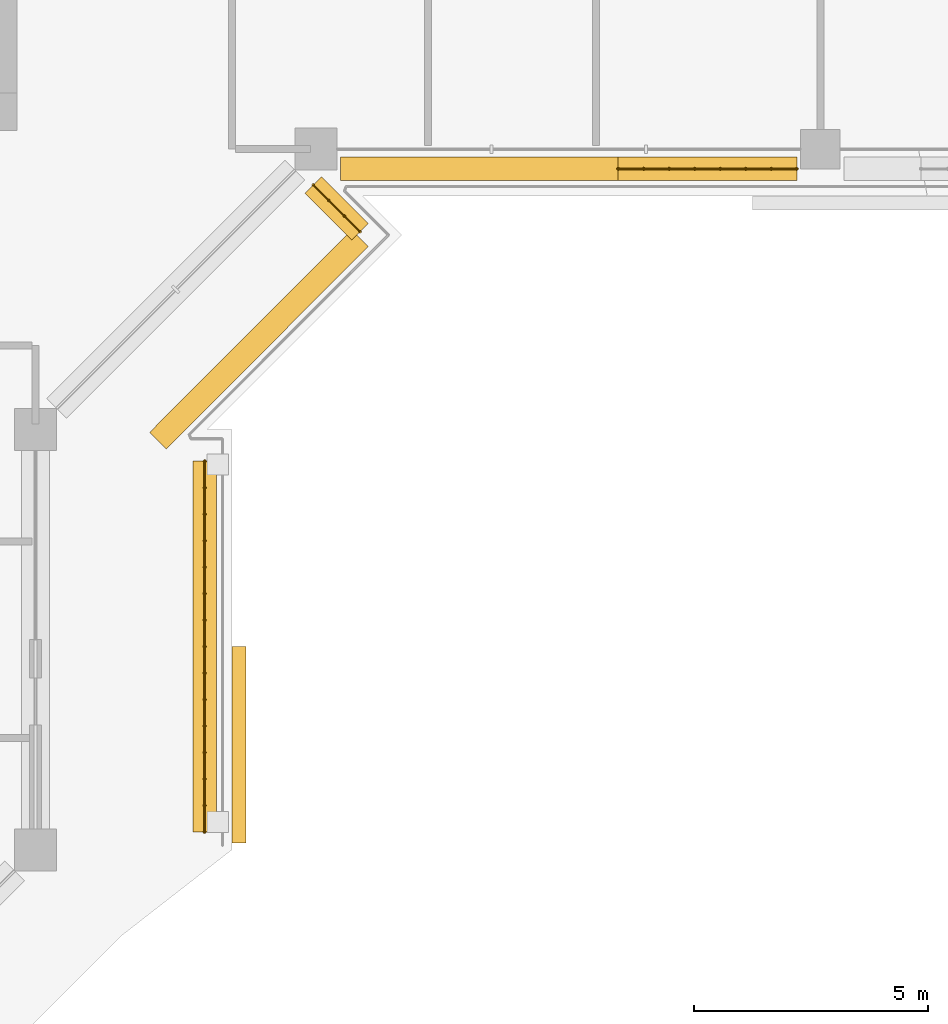
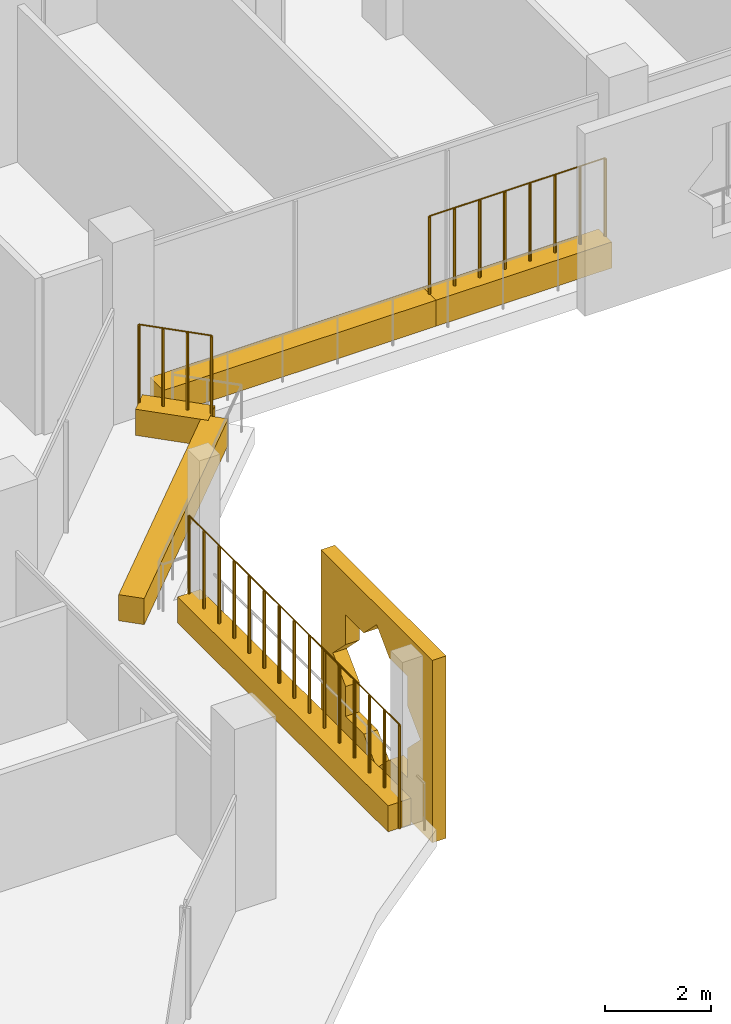
# One storey, part 16 of 21: 6 coverings, 3 railings.
"""IFC4 building model written with IfcOpenShell, lengths in metres."""

from ifc_helpers import new_model, si_unit, direction, frame, origin, origin_2d, place, context, subcontext, project, spatial, polyline, rectangle, circle, outline, extrude, material, material_profile, profile_set, type_object, element, save


model = new_model("IFC4")

# Units and contexts
model_context = context("Model", 3, precision=1e-05, world=origin(), true_north=direction((0.0, 1.0)))
body_context = subcontext(model_context, "Body", "Model", "MODEL_VIEW")
ifc_project = project(units=[si_unit("LENGTHUNIT", "METRE"), si_unit("AREAUNIT", "SQUARE_METRE"), si_unit("VOLUMEUNIT", "CUBIC_METRE"), si_unit("PLANEANGLEUNIT", "RADIAN"), si_unit("MASSUNIT", "GRAM", prefix="KILO")], contexts=[model_context])

# Site, building, storey
site_placement = place(None, origin())
site = spatial("IfcSite", under=ifc_project, at=site_placement, CompositionType="ELEMENT")
building_placement = place(site_placement, origin())
building = spatial("IfcBuilding", under=site, at=building_placement, Name="Kawkab Arch Medical Tower", CompositionType="ELEMENT")
storey_placement = place(building_placement, frame((0.0, 0.0, 264.199951171875)))
storey = spatial("IfcBuildingStorey", under=building, at=storey_placement, Name="L61", CompositionType="ELEMENT", Elevation=264.199951171875)

# Coverings
ifc_material_1 = material(Name="Bronze anodised aluminium mashrabiya panel, eight-point star pattern", Category="aluminium")
ifc_material_profile_1 = material_profile(ifc_material_1, outline(polyline([(-2.10009765625, -2.10009765625), (2.10009765625, -2.10009765625), (2.10009765625, 2.10009765625), (-2.10009765625, 2.10009765625), (-2.10009765625, -2.10009765625)]), holes=[polyline([(1.64990234375, 0.0), (1.166748046875, 0.4833984375), (1.166748046875, 1.166748046875), (0.4833984375, 1.166748046875), (0.0, 1.64990234375), (-0.4833984375, 1.166748046875), (-1.166748046875, 1.166748046875), (-1.166748046875, 0.4833984375), (-1.64990234375, 0.0), (-1.166748046875, -0.4833984375), (-1.166748046875, -1.166748046875), (-0.4833984375, -1.166748046875), (0.0, -1.64990234375), (0.4833984375, -1.166748046875), (1.166748046875, -1.166748046875), (1.166748046875, -0.4833984375), (1.64990234375, 0.0)])]), Name="Mashrabiya panel 4200x4200")
ifc_profile_set_1 = profile_set([ifc_material_profile_1], Name="Bronze anodised aluminium mashrabiya panel, eight-point star pattern")
covering_type_1 = type_object("IfcCoveringType", Name="Mashrabiya panel 4200 x 4200", PredefinedType="USERDEFINED", material=ifc_profile_set_1)
covering_1_placement = place(storey_placement, frame((29.39990234375, -37.94873046875, 1.699951171875), z_axis=(1.0, 0.0, 0.0), x_axis=(0.0, 1.0, 0.0)))
element("IfcCovering", 1, at=covering_1_placement, inside=storey, type_object=covering_type_1, Name="Mashrabiya panel L61.LOG-01-01.11", ObjectType="SCREEN", PredefinedType="USERDEFINED", context=body_context, shape_type="SweptSolid", body=[
    extrude(outline(polyline([(-2.10009765625, -2.10009765625), (2.10009765625, -2.10009765625), (2.10009765625, 2.10009765625), (-2.10009765625, 2.10009765625), (-2.10009765625, -2.10009765625)]), holes=[polyline([(1.64990234375, 0.0), (1.166748046875, 0.4833984375), (1.166748046875, 1.166748046875), (0.4833984375, 1.166748046875), (0.0, 1.64990234375), (-0.4833984375, 1.166748046875), (-1.166748046875, 1.166748046875), (-1.166748046875, 0.4833984375), (-1.64990234375, 0.0), (-1.166748046875, -0.4833984375), (-1.166748046875, -1.166748046875), (-0.4833984375, -1.166748046875), (0.0, -1.64990234375), (0.4833984375, -1.166748046875), (1.166748046875, -1.166748046875), (1.166748046875, -0.4833984375), (1.64990234375, 0.0)])]), origin(), (0.0, 0.0, 1.0), 0.300048828125),
])
ifc_material_2 = material(Name="Planting soil in a precast trough", Category="concrete")
ifc_material_profile_2 = material_profile(ifc_material_2, rectangle(XDim=0.5, YDim=0.60009765625, at=origin_2d()), Name="Trough 500x600")
ifc_profile_set_2 = profile_set([ifc_material_profile_2], Name="Planting soil in a precast trough")
covering_type_2 = type_object("IfcCoveringType", Name="Planter trough 500 x 600", PredefinedType="USERDEFINED", material=ifc_profile_set_2)
covering_2_placement = place(storey_placement, frame((41.4951171875, -25.6201171875, 0.300048828125), z_axis=(-1.0, 0.0, 0.0), x_axis=(0.0, -1.0, 0.0)))
element("IfcCovering", 2, at=covering_2_placement, inside=storey, type_object=covering_type_2, Name="Planter L61.LOG-01-01.35", ObjectType="PLANTER", PredefinedType="USERDEFINED", context=body_context, shape_type="SweptSolid", body=[
    extrude(rectangle(XDim=0.5, YDim=0.60009765625, at=origin_2d()), origin(), (0.0, 0.0, 1.0), 3.8251953125),
])
covering_3_placement = place(storey_placement, frame((37.669921875, -25.6201171875, 0.300048828125), z_axis=(-1.0, 0.0, 0.0), x_axis=(0.0, -1.0, 0.0)))
element("IfcCovering", 3, at=covering_3_placement, inside=storey, type_object=covering_type_2, Name="Planter L61.LOG-01-01.36", ObjectType="PLANTER", PredefinedType="USERDEFINED", context=body_context, shape_type="SweptSolid", body=[
    extrude(rectangle(XDim=0.5, YDim=0.60009765625, at=origin_2d()), origin(), (0.0, 0.0, 1.0), 5.93994140625),
])
covering_4_placement = place(storey_placement, frame((31.14306640625, -25.962890625, 0.300048828125), z_axis=(0.707020805532, -0.707192746389, 0.0), x_axis=(0.707192746389, 0.707020805532, 0.0)))
element("IfcCovering", 4, at=covering_4_placement, inside=storey, type_object=covering_type_2, Name="Planter L61.LOG-01-01.37", ObjectType="PLANTER", PredefinedType="USERDEFINED", context=body_context, shape_type="SweptSolid", body=[
    extrude(rectangle(XDim=0.5, YDim=0.60009765625, at=origin_2d()), origin(), (0.0, 0.0, 1.0), 1.419921875),
])
covering_5_placement = place(storey_placement, frame((32.14697265625, -27.10888671875, 0.300048828125), z_axis=(-0.707007043994, -0.707206504313, 0.0), x_axis=(0.707206504313, -0.707007043994, 0.0)))
element("IfcCovering", 5, at=covering_5_placement, inside=storey, type_object=covering_type_2, Name="Planter L61.LOG-01-01.38", ObjectType="PLANTER", PredefinedType="USERDEFINED", context=body_context, shape_type="SweptSolid", body=[
    extrude(rectangle(XDim=0.5, YDim=0.60009765625, at=origin_2d()), origin(), (0.0, 0.0, 1.0), 6.1201171875),
])
covering_6_placement = place(storey_placement, frame((28.820068359375, -31.8798828125, 0.300048828125), z_axis=(0.0, -1.0, 0.0), x_axis=(1.0, 0.0, 0.0)))
element("IfcCovering", 6, at=covering_6_placement, inside=storey, type_object=covering_type_2, Name="Planter L61.LOG-01-01.39", ObjectType="PLANTER", PredefinedType="USERDEFINED", context=body_context, shape_type="SweptSolid", body=[
    extrude(rectangle(XDim=0.5, YDim=0.60009765625, at=origin_2d()), origin(), (0.0, 0.0, 1.0), 7.93603515625),
])

# Railings
ifc_material_3 = material(Name="Bronze anodised aluminium trellis for climbing plants", Category="aluminium")
railing_type = type_object("IfcRailingType", Name="Planting trellis 2400", PredefinedType="USERDEFINED", material=ifc_material_3)
railing_1_placement = place(storey_placement, frame((41.4951171875, -25.6201171875, 0.0)))
element("IfcRailing", 7, at=railing_1_placement, inside=storey, type_object=railing_type, Name="Planting trellis L61.LOG-01-01.35", ObjectType="TRELLIS", PredefinedType="USERDEFINED", context=body_context, shape_type="SweptSolid", body=[
    extrude(circle(Radius=0.01513671875, at=origin_2d()), frame((0.0, 0.0, 2.384765625), z_axis=(-1.0, 0.0, 0.0), x_axis=(0.0, -1.0, 0.0)), (0.0, 0.0, 1.0), 3.8251953125),
    extrude(circle(Radius=0.030029296875, at=origin_2d()), origin(), (0.0, 0.0, 1.0), 2.369873046875),
    extrude(circle(Radius=0.030029296875, at=origin_2d()), frame((-0.54638671875, 0.0, 0.0)), (0.0, 0.0, 1.0), 2.369873046875),
    extrude(circle(Radius=0.030029296875, at=origin_2d()), frame((-1.093017578125, 0.0, 0.0)), (0.0, 0.0, 1.0), 2.369873046875),
    extrude(circle(Radius=0.030029296875, at=origin_2d()), frame((-1.639404296875, 0.0, 0.0)), (0.0, 0.0, 1.0), 2.369873046875),
    extrude(circle(Radius=0.030029296875, at=origin_2d()), frame((-2.185791015625, 0.0, 0.0)), (0.0, 0.0, 1.0), 2.369873046875),
    extrude(circle(Radius=0.030029296875, at=origin_2d()), frame((-2.732177734375, 0.0, 0.0)), (0.0, 0.0, 1.0), 2.369873046875),
    extrude(circle(Radius=0.030029296875, at=origin_2d()), frame((-3.27880859375, 0.0, 0.0)), (0.0, 0.0, 1.0), 2.369873046875),
    extrude(circle(Radius=0.030029296875, at=origin_2d()), frame((-3.8251953125, 0.0, 0.0)), (0.0, 0.0, 1.0), 2.369873046875),
])
railing_2_placement = place(storey_placement, frame((31.14306640625, -25.962890625, 0.0)))
element("IfcRailing", 8, at=railing_2_placement, inside=storey, type_object=railing_type, Name="Planting trellis L61.LOG-01-01.37", ObjectType="TRELLIS", PredefinedType="USERDEFINED", context=body_context, shape_type="SweptSolid", body=[
    extrude(circle(Radius=0.01513671875, at=origin_2d()), frame((0.0, 0.0, 2.384765625), z_axis=(0.707020805532, -0.707192746389, 0.0), x_axis=(0.707192746389, 0.707020805532, 0.0)), (0.0, 0.0, 1.0), 1.419921875),
    extrude(circle(Radius=0.030029296875, at=origin_2d()), origin(), (0.0, 0.0, 1.0), 2.369873046875),
    extrude(circle(Radius=0.030029296875, at=origin_2d()), frame((0.334716796875, -0.334716796875, 0.0)), (0.0, 0.0, 1.0), 2.369873046875),
    extrude(circle(Radius=0.030029296875, at=origin_2d()), frame((0.669189453125, -0.66943359375, 0.0)), (0.0, 0.0, 1.0), 2.369873046875),
    extrude(circle(Radius=0.030029296875, at=origin_2d()), frame((1.00390625, -1.004150390625, 0.0)), (0.0, 0.0, 1.0), 2.369873046875),
])
railing_3_placement = place(storey_placement, frame((28.820068359375, -31.8798828125, 0.0)))
element("IfcRailing", 9, at=railing_3_placement, inside=storey, type_object=railing_type, Name="Planting trellis L61.LOG-01-01.39", ObjectType="TRELLIS", PredefinedType="USERDEFINED", context=body_context, shape_type="SweptSolid", body=[
    extrude(circle(Radius=0.01513671875, at=origin_2d()), frame((0.0, 0.0, 2.384765625), z_axis=(0.0, -1.0, 0.0), x_axis=(1.0, 0.0, 0.0)), (0.0, 0.0, 1.0), 7.93603515625),
    extrude(circle(Radius=0.030029296875, at=origin_2d()), origin(), (0.0, 0.0, 1.0), 2.369873046875),
    extrude(circle(Radius=0.030029296875, at=origin_2d()), frame((0.0, -0.56689453125, 0.0)), (0.0, 0.0, 1.0), 2.369873046875),
    extrude(circle(Radius=0.030029296875, at=origin_2d()), frame((0.0, -1.1337890625, 0.0)), (0.0, 0.0, 1.0), 2.369873046875),
    extrude(circle(Radius=0.030029296875, at=origin_2d()), frame((0.0, -1.70068359375, 0.0)), (0.0, 0.0, 1.0), 2.369873046875),
    extrude(circle(Radius=0.030029296875, at=origin_2d()), frame((0.0, -2.267333984375, 0.0)), (0.0, 0.0, 1.0), 2.369873046875),
    extrude(circle(Radius=0.030029296875, at=origin_2d()), frame((0.0, -2.834228515625, 0.0)), (0.0, 0.0, 1.0), 2.369873046875),
    extrude(circle(Radius=0.030029296875, at=origin_2d()), frame((0.0, -3.401123046875, 0.0)), (0.0, 0.0, 1.0), 2.369873046875),
    extrude(circle(Radius=0.030029296875, at=origin_2d()), frame((0.0, -3.968017578125, 0.0)), (0.0, 0.0, 1.0), 2.369873046875),
    extrude(circle(Radius=0.030029296875, at=origin_2d()), frame((0.0, -4.534912109375, 0.0)), (0.0, 0.0, 1.0), 2.369873046875),
    extrude(circle(Radius=0.030029296875, at=origin_2d()), frame((0.0, -5.101806640625, 0.0)), (0.0, 0.0, 1.0), 2.369873046875),
    extrude(circle(Radius=0.030029296875, at=origin_2d()), frame((0.0, -5.668701171875, 0.0)), (0.0, 0.0, 1.0), 2.369873046875),
    extrude(circle(Radius=0.030029296875, at=origin_2d()), frame((0.0, -6.2353515625, 0.0)), (0.0, 0.0, 1.0), 2.369873046875),
    extrude(circle(Radius=0.030029296875, at=origin_2d()), frame((0.0, -6.80224609375, 0.0)), (0.0, 0.0, 1.0), 2.369873046875),
    extrude(circle(Radius=0.030029296875, at=origin_2d()), frame((0.0, -7.369140625, 0.0)), (0.0, 0.0, 1.0), 2.369873046875),
    extrude(circle(Radius=0.030029296875, at=origin_2d()), frame((0.0, -7.93603515625, 0.0)), (0.0, 0.0, 1.0), 2.369873046875),
])

save(model, "model.ifc")
